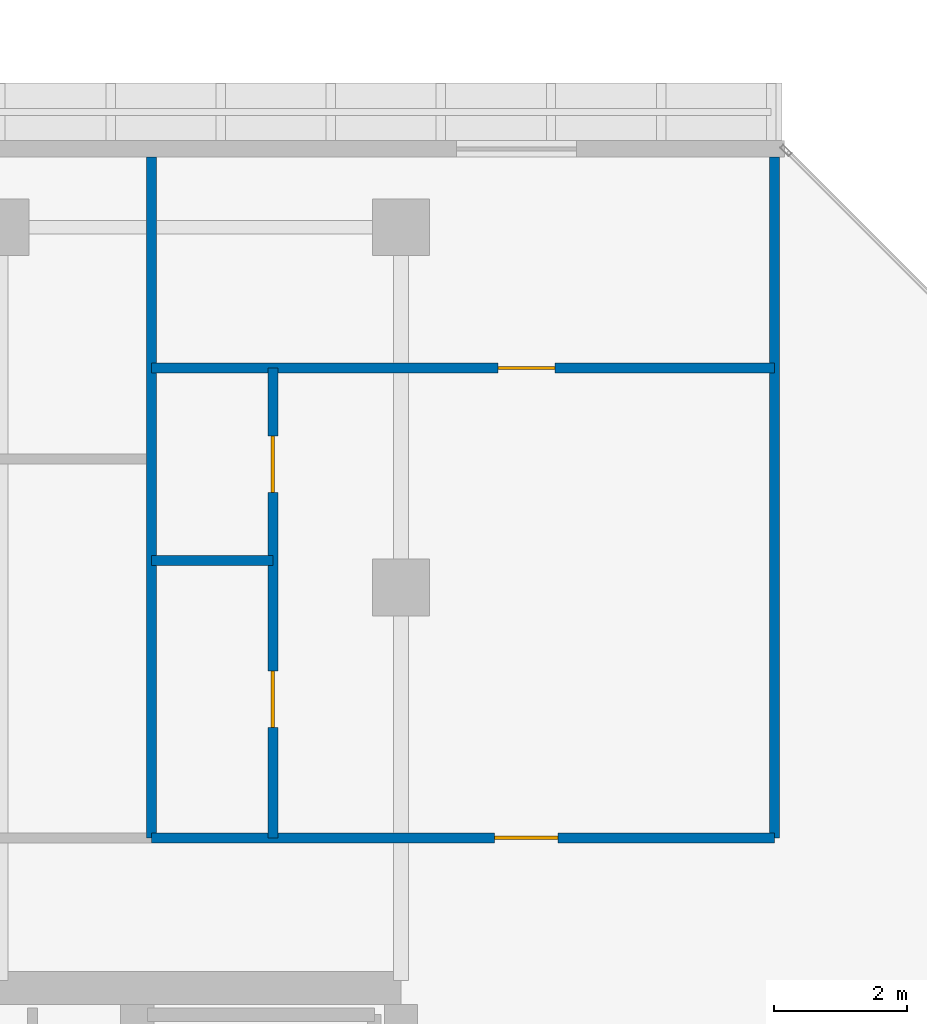
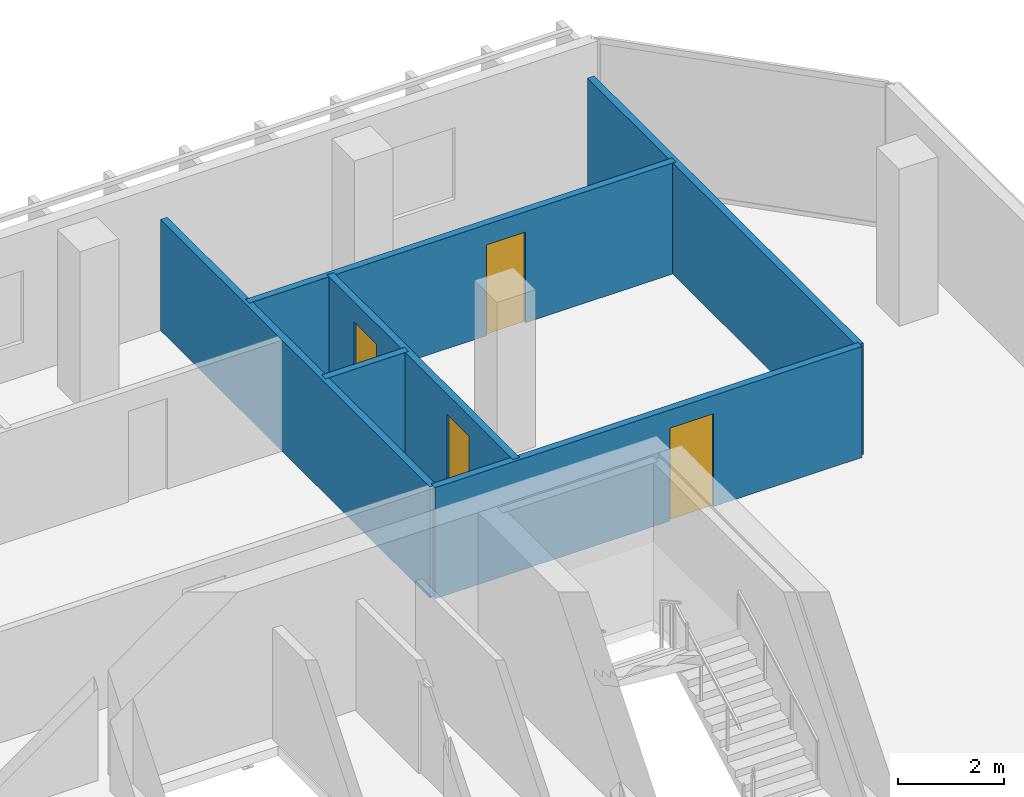
# One storey, part 25 of 31: 6 walls, 4 doors, 4 openings.
"""IFC4 building model written with IfcOpenShell, lengths in metres."""

from ifc_helpers import new_model, si_unit, direction, frame, frame_2d, origin, place, context, subcontext, project, spatial, rectangle, extrude, material, layer, layer_set, type_object, element, fill, save


model = new_model("IFC4")

# Units and contexts
model_context = context("Model", 3, precision=1e-05, world=origin(), true_north=direction((0.0, 1.0)))
body_context = subcontext(model_context, "Body", "Model", "MODEL_VIEW")
ifc_project = project(units=[si_unit("LENGTHUNIT", "METRE"), si_unit("AREAUNIT", "SQUARE_METRE"), si_unit("VOLUMEUNIT", "CUBIC_METRE"), si_unit("PLANEANGLEUNIT", "RADIAN"), si_unit("MASSUNIT", "GRAM", prefix="KILO")], contexts=[model_context])

# Site, building, storey
site_placement = place(None, origin())
site = spatial("IfcSite", under=ifc_project, at=site_placement, CompositionType="ELEMENT")
building_placement = place(site_placement, origin())
building = spatial("IfcBuilding", under=site, at=building_placement, Name="Tanjung Sevakor Pilgrim Tower", CompositionType="ELEMENT")
storey_placement = place(building_placement, frame((0.0, 0.0, 169.2900390625)))
storey = spatial("IfcBuildingStorey", under=building, at=storey_placement, Name="L47", CompositionType="ELEMENT", Elevation=169.2900390625)

# Walls
ifc_material_1 = material(Name="Concrete C40/50", Category="concrete")
ifc_layer_1 = layer(ifc_material_1, 0.14990234375)
ifc_layer_set_1 = layer_set([ifc_layer_1], Name="WT-COMP-150")
wall_type_1 = type_object("IfcWallType", Name="WT-COMP-150", PredefinedType="SOLIDWALL", material=ifc_layer_set_1)
for number, where, z_axis, x_axis, name in (
    (1, (95.60009765625, 44.85009765625, 0.0), (0.0, 0.0, 1.0), (0.0, 1.0, 0.0), "L47 Partition IW-L47-109"),
    (2, (86.263916015625, 44.85009765625, 0.0), (0.0, 0.0, 1.0), (0.0, 1.0, 0.0), "L47 Partition IW-L47-118"),
):
    element("IfcWall", number, at=place(storey_placement, frame(where, z_axis=z_axis, x_axis=x_axis)), inside=storey, type_object=wall_type_1, Name=name, PredefinedType="SOLIDWALL", context=body_context, shape_type="SweptSolid", body=[
        extrude(rectangle(XDim=10.199951171875, YDim=0.14990234375, at=frame_2d((5.10009765625, 0.0))), origin(), (0.0, 0.0, 1.0), 2.570068359375),
    ])

# Wall, opening, door
wall_1_placement = place(storey_placement, frame((86.263916015625, 44.85009765625, 0.0), z_axis=(0.0, 0.0, 1.0), x_axis=(1.0, 0.0, 0.0)))
wall_1 = element("IfcWall", 3, at=wall_1_placement, inside=storey, type_object=wall_type_1, Name="L47 Partition IW-L47-127", PredefinedType="SOLIDWALL", context=body_context, shape_type="SweptSolid", body=[
    extrude(rectangle(XDim=9.336181640625, YDim=0.14990234375, at=frame_2d((4.66796875, 0.0))), origin(), (0.0, 0.0, 1.0), 2.570068359375),
])
opening_1_placement = place(wall_1_placement, frame((5.14111328125, 0.0, 0.0)))
opening_1 = element("IfcOpeningElement", 4, at=opening_1_placement, cuts=wall_1, Name="Opening ID-FD2", PredefinedType="OPENING", context=body_context, shape_type="SweptSolid", body=[
    extrude(rectangle(XDim=0.949951171875, YDim=2.14990234375, at=frame_2d((0.47509765625, 1.074951171875))), frame((0.0, 0.0849609375, 0.0), z_axis=(0.0, -1.0, 0.0), x_axis=(1.0, 0.0, 0.0)), (0.0, 0.0, 1.0), 0.169921875),
])
ifc_material_2 = material(Name="Fire-Rated Timber", Category="wood")
door_type_1 = type_object("IfcDoorType", Name="DT-FIRE-950", OperationType="NOTDEFINED", PredefinedType="DOOR", material=ifc_material_2)
door_1_placement = place(opening_1_placement, origin())
door_1 = element("IfcDoor", 5, at=door_1_placement, inside=storey, type_object=door_type_1, Name="Residence Entrance", OperationType="SINGLE_SWING_LEFT", OverallHeight=2.14990234375, OverallWidth=0.949951171875, PredefinedType="DOOR", context=body_context, shape_type="SweptSolid", body=[
    extrude(rectangle(XDim=0.949951171875, YDim=2.14990234375, at=frame_2d((0.47509765625, 1.074951171875))), frame((0.0, 0.02490234375, 0.0), z_axis=(0.0, -1.0, 0.0), x_axis=(1.0, 0.0, 0.0)), (0.0, 0.0, 1.0), 0.050048828125),
])
fill(opening_1, door_1)

# Wall
ifc_material_3 = material(Name="Gypsum Board Partition", Category="gypsum board")
ifc_layer_2 = layer(ifc_material_3, 0.14990234375)
ifc_layer_set_2 = layer_set([ifc_layer_2], Name="WT-PART-150")
wall_type_2 = type_object("IfcWallType", Name="WT-PART-150", PredefinedType="PARTITIONING", material=ifc_layer_set_2)
wall_2_placement = place(storey_placement, frame((86.263916015625, 49.00390625, 0.0), z_axis=(0.0, 0.0, 1.0), x_axis=(1.0, 0.0, 0.0)))
element("IfcWall", 6, at=wall_2_placement, inside=storey, type_object=wall_type_2, Name="L47 Partition IW-L47-124", PredefinedType="PARTITIONING", context=body_context, shape_type="SweptSolid", body=[
    extrude(rectangle(XDim=1.816162109375, YDim=0.14990234375, at=frame_2d((0.908203125, 0.0))), origin(), (0.0, 0.0, 1.0), 2.570068359375),
])

# Wall, openings, doors
wall_3_placement = place(storey_placement, frame((88.080078125, 44.85009765625, 0.0), z_axis=(0.0, 0.0, 1.0), x_axis=(0.0, 1.0, 0.0)))
wall_3 = element("IfcWall", 7, at=wall_3_placement, inside=storey, type_object=wall_type_2, Name="L47 Partition IW-L47-125", PredefinedType="PARTITIONING", context=body_context, shape_type="SweptSolid", body=[
    extrude(rectangle(XDim=7.040283203125, YDim=0.14990234375, at=frame_2d((3.52001953125, 0.0))), origin(), (0.0, 0.0, 1.0), 2.570068359375),
])
opening_2_placement = place(wall_3_placement, frame((1.65185546875, 0.0, 0.0)))
opening_2 = element("IfcOpeningElement", 8, at=opening_2_placement, cuts=wall_3, Name="Opening ID-WC1", PredefinedType="OPENING", context=body_context, shape_type="SweptSolid", body=[
    extrude(rectangle(XDim=0.85009765625, YDim=2.10009765625, at=frame_2d((0.425048828125, 1.050048828125))), frame((0.0, 0.0849609375, 0.0), z_axis=(0.0, -1.0, 0.0), x_axis=(1.0, 0.0, 0.0)), (0.0, 0.0, 1.0), 0.169921875),
])
opening_3_placement = place(wall_3_placement, frame((5.172119140625, 0.0, 0.0)))
opening_3 = element("IfcOpeningElement", 9, at=opening_3_placement, cuts=wall_3, Name="Opening ID-WC1", PredefinedType="OPENING", context=body_context, shape_type="SweptSolid", body=[
    extrude(rectangle(XDim=0.85009765625, YDim=2.10009765625, at=frame_2d((0.425048828125, 1.050048828125))), frame((0.0, 0.0849609375, 0.0), z_axis=(0.0, -1.0, 0.0), x_axis=(1.0, 0.0, 0.0)), (0.0, 0.0, 1.0), 0.169921875),
])
ifc_material_4 = material(Name="Moisture-Resistant Timber", Category="wood")
door_type_2 = type_object("IfcDoorType", Name="DT-INT-850", OperationType="NOTDEFINED", PredefinedType="DOOR", material=ifc_material_4)
door_2_placement = place(opening_2_placement, origin())
door_2 = element("IfcDoor", 10, at=door_2_placement, inside=storey, type_object=door_type_2, Name="Residence Kitchenette Door", OperationType="SINGLE_SWING_RIGHT", OverallHeight=2.10009765625, OverallWidth=0.85009765625, PredefinedType="DOOR", context=body_context, shape_type="SweptSolid", body=[
    extrude(rectangle(XDim=0.85009765625, YDim=2.10009765625, at=frame_2d((0.425048828125, 1.050048828125))), frame((0.0, 0.02490234375, 0.0), z_axis=(0.0, -1.0, 0.0), x_axis=(1.0, 0.0, 0.0)), (0.0, 0.0, 1.0), 0.050048828125),
])
fill(opening_2, door_2)
door_3_placement = place(opening_3_placement, origin())
door_3 = element("IfcDoor", 11, at=door_3_placement, inside=storey, type_object=door_type_2, Name="Residence Bathroom Door", OperationType="SINGLE_SWING_LEFT", OverallHeight=2.10009765625, OverallWidth=0.85009765625, PredefinedType="DOOR", context=body_context, shape_type="SweptSolid", body=[
    extrude(rectangle(XDim=0.85009765625, YDim=2.10009765625, at=frame_2d((0.425048828125, 1.050048828125))), frame((0.0, 0.02490234375, 0.0), z_axis=(0.0, -1.0, 0.0), x_axis=(1.0, 0.0, 0.0)), (0.0, 0.0, 1.0), 0.050048828125),
])
fill(opening_3, door_3)

# Wall, opening, door
wall_4_placement = place(storey_placement, frame((86.263916015625, 51.890380859375, 0.0), z_axis=(0.0, 0.0, 1.0), x_axis=(1.0, 0.0, 0.0)))
wall_4 = element("IfcWall", 12, at=wall_4_placement, inside=storey, type_object=wall_type_2, Name="L47 Partition IW-L47-126", PredefinedType="PARTITIONING", context=body_context, shape_type="SweptSolid", body=[
    extrude(rectangle(XDim=9.336181640625, YDim=0.14990234375, at=frame_2d((4.66796875, 0.0))), origin(), (0.0, 0.0, 1.0), 2.570068359375),
])
opening_4_placement = place(wall_4_placement, frame((5.191162109375, 0.0, 0.0)))
opening_4 = element("IfcOpeningElement", 13, at=opening_4_placement, cuts=wall_4, Name="Opening ID-WC1", PredefinedType="OPENING", context=body_context, shape_type="SweptSolid", body=[
    extrude(rectangle(XDim=0.85009765625, YDim=2.10009765625, at=frame_2d((0.425048828125, 1.050048828125))), frame((0.0, 0.0849609375, 0.0), z_axis=(0.0, -1.0, 0.0), x_axis=(1.0, 0.0, 0.0)), (0.0, 0.0, 1.0), 0.169921875),
])
door_4_placement = place(opening_4_placement, origin())
door_4 = element("IfcDoor", 14, at=door_4_placement, inside=storey, type_object=door_type_2, Name="Residence Bedroom Door", OperationType="SINGLE_SWING_RIGHT", OverallHeight=2.10009765625, OverallWidth=0.85009765625, PredefinedType="DOOR", context=body_context, shape_type="SweptSolid", body=[
    extrude(rectangle(XDim=0.85009765625, YDim=2.10009765625, at=frame_2d((0.425048828125, 1.050048828125))), frame((0.0, 0.02490234375, 0.0), z_axis=(0.0, -1.0, 0.0), x_axis=(1.0, 0.0, 0.0)), (0.0, 0.0, 1.0), 0.050048828125),
])
fill(opening_4, door_4)

save(model, "model.ifc")
